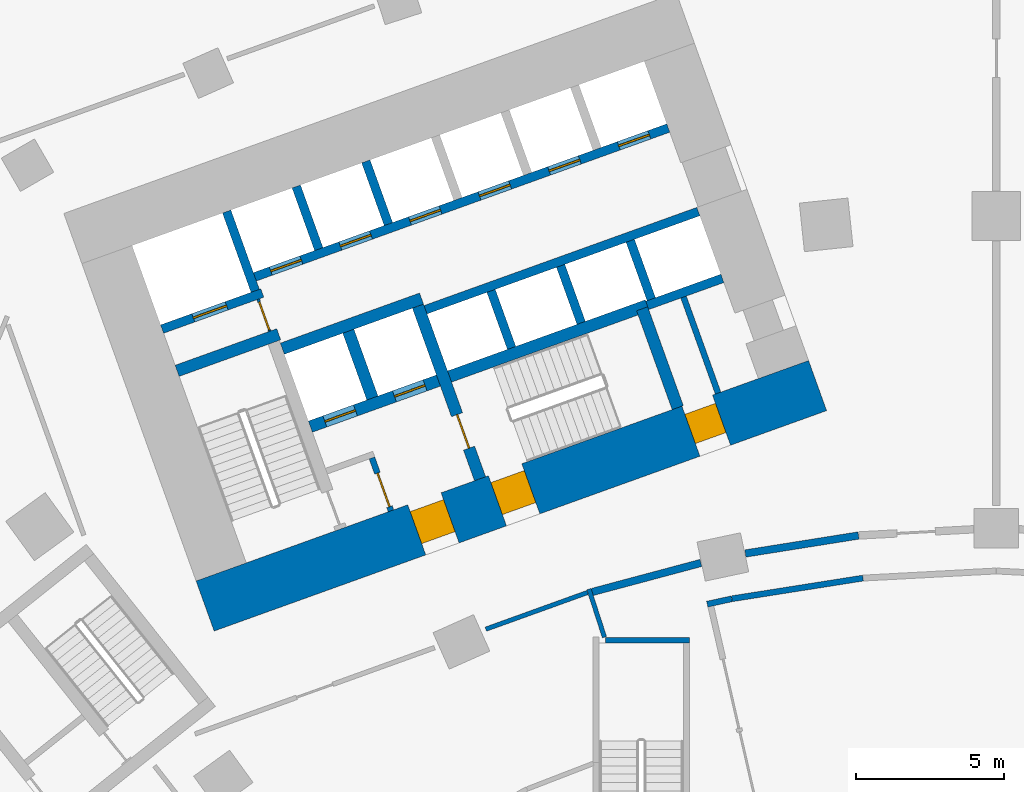
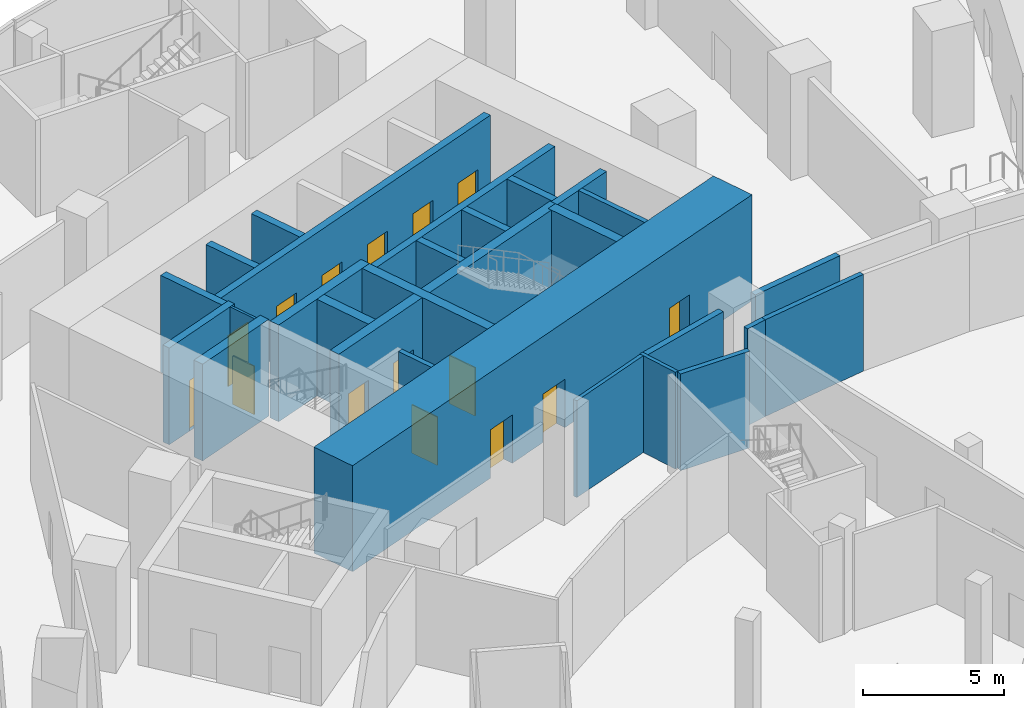
# One storey, part 23 of 40: 27 walls, 15 doors, 15 openings.
"""IFC4 building model written with IfcOpenShell, lengths in metres."""

from ifc_helpers import new_model, si_unit, direction, frame, frame_2d, origin, place, context, subcontext, project, spatial, rectangle, extrude, material, layer, layer_set, type_object, element, fill, save


model = new_model("IFC4")

# Units and contexts
model_context = context("Model", 3, precision=1e-05, world=origin(), true_north=direction((0.0, 1.0)))
body_context = subcontext(model_context, "Body", "Model", "MODEL_VIEW")
ifc_project = project(units=[si_unit("LENGTHUNIT", "METRE"), si_unit("AREAUNIT", "SQUARE_METRE"), si_unit("VOLUMEUNIT", "CUBIC_METRE"), si_unit("PLANEANGLEUNIT", "RADIAN"), si_unit("MASSUNIT", "GRAM", prefix="KILO")], contexts=[model_context])

# Site, building, storey
site_placement = place(None, origin())
site = spatial("IfcSite", under=ifc_project, at=site_placement, CompositionType="ELEMENT")
building_placement = place(site_placement, origin())
building = spatial("IfcBuilding", under=site, at=building_placement, Name="Stone Belt Terrace Tower", CompositionType="ELEMENT")
storey_placement = place(building_placement, frame((0.0, 0.0, 11.60009765625)))
storey = spatial("IfcBuildingStorey", under=building, at=storey_placement, Name="L02", CompositionType="ELEMENT", Elevation=11.60009765625)

# Wall, opening, door
ifc_material_1 = material(Name="Plasterboard partition")
ifc_layer_1 = layer(ifc_material_1, 0.10009765625)
ifc_layer_set_1 = layer_set([ifc_layer_1], Name="Core partition 100")
wall_type_1 = type_object("IfcWallType", Name="Core partition 100", PredefinedType="PARTITIONING", material=ifc_layer_set_1)
wall_1_placement = place(storey_placement, frame((-24.555908203125, 51.10400390625, 0.0), z_axis=(0.0, 0.0, 1.0), x_axis=(-0.338621735342, 0.94092258999, 0.0)))
wall_1 = element("IfcWall", 1, at=wall_1_placement, inside=storey, type_object=wall_type_1, Name="Core A wall", PredefinedType="PARTITIONING", context=body_context, shape_type="SweptSolid", body=[
    extrude(rectangle(XDim=1.14990234375, YDim=0.10009765625, at=frame_2d((0.574951171875, 0.0))), origin(), (0.0, 0.0, 1.0), 4.199951171875),
])
opening_1_placement = place(wall_1_placement, frame((0.050048828125, 0.0, 0.0)))
opening_1 = element("IfcOpeningElement", 2, at=opening_1_placement, cuts=wall_1, Name="Opening L02-C01", PredefinedType="OPENING", context=body_context, shape_type="SweptSolid", body=[
    extrude(rectangle(XDim=1.0, YDim=2.10009765625, at=frame_2d((0.5, 1.050048828125))), frame((0.0, 0.06005859375, 0.0), z_axis=(0.0, -1.0, 0.0), x_axis=(1.0, 0.0, 0.0)), (0.0, 0.0, 1.0), 0.1201171875),
])
ifc_material_2 = material(Name="Timber door leaf", Category="wood")
door_type_1 = type_object("IfcDoorType", Name="Core room door 1000", OperationType="SINGLE_SWING_LEFT", PredefinedType="DOOR", material=ifc_material_2)
door_1_placement = place(opening_1_placement, origin())
door_1 = element("IfcDoor", 3, at=door_1_placement, inside=storey, type_object=door_type_1, Name="Service lift lobby door core A", OperationType="SINGLE_SWING_LEFT", OverallHeight=2.10009765625, OverallWidth=1.0, PredefinedType="DOOR", context=body_context, shape_type="SweptSolid", body=[
    extrude(rectangle(XDim=1.0, YDim=2.10009765625, at=frame_2d((0.5, 1.050048828125))), frame((0.0, 0.02490234375, 0.0), z_axis=(0.0, -1.0, 0.0), x_axis=(1.0, 0.0, 0.0)), (0.0, 0.0, 1.0), 0.050048828125),
])
fill(opening_1, door_1)

# Wall, openings, doors
ifc_material_3 = material(Name="Concrete B80", Category="concrete")
ifc_layer_2 = layer(ifc_material_3, 1.800048828125)
ifc_layer_set_2 = layer_set([ifc_layer_2], Name="Core wall 1800 B80")
wall_type_2 = type_object("IfcWallType", Name="Core wall 1800 B80", PredefinedType="SHEAR", material=ifc_layer_set_2)
wall_2_placement = place(storey_placement, frame((-26.739501953125, 41.815673828125, 0.0), z_axis=(0.0, 0.0, 1.0), x_axis=(0.940921642213, 0.338624368902, 0.0)))
wall_2 = element("IfcWall", 4, at=wall_2_placement, inside=storey, type_object=wall_type_2, Name="Core A wall concave L02", PredefinedType="SHEAR", context=body_context, shape_type="SweptSolid", body=[
    extrude(rectangle(XDim=22.0, YDim=1.800048828125, at=frame_2d((11.0, 0.0))), origin(), (0.0, 0.0, 1.0), 4.599853515625),
])
opening_2_placement = place(wall_2_placement, frame((7.60009765625, 0.0, 0.0)))
opening_2 = element("IfcOpeningElement", 5, at=opening_2_placement, cuts=wall_2, Name="Opening L02-C05", PredefinedType="OPENING", context=body_context, shape_type="SweptSolid", body=[
    extrude(rectangle(XDim=1.199951171875, YDim=2.10009765625, at=frame_2d((0.60009765625, 1.050048828125))), frame((0.0, 0.909912109375, 0.0), z_axis=(0.0, -1.0, 0.0), x_axis=(1.0, 0.0, 0.0)), (0.0, 0.0, 1.0), 1.820068359375),
])
opening_3_placement = place(wall_2_placement, frame((10.5, 0.0, 0.0)))
opening_3 = element("IfcOpeningElement", 6, at=opening_3_placement, cuts=wall_2, Name="Opening L02-C07", PredefinedType="OPENING", context=body_context, shape_type="SweptSolid", body=[
    extrude(rectangle(XDim=1.199951171875, YDim=2.10009765625, at=frame_2d((0.60009765625, 1.050048828125))), frame((0.0, 0.909912109375, 0.0), z_axis=(0.0, -1.0, 0.0), x_axis=(1.0, 0.0, 0.0)), (0.0, 0.0, 1.0), 1.820068359375),
])
opening_4_placement = place(wall_2_placement, frame((17.449951171875, 0.0, 0.0)))
opening_4 = element("IfcOpeningElement", 7, at=opening_4_placement, cuts=wall_2, Name="Opening L02-C09", PredefinedType="OPENING", context=body_context, shape_type="SweptSolid", body=[
    extrude(rectangle(XDim=1.10009765625, YDim=2.10009765625, at=frame_2d((0.550048828125, 1.050048828125))), frame((0.0, 0.909912109375, 0.0), z_axis=(0.0, -1.0, 0.0), x_axis=(1.0, 0.0, 0.0)), (0.0, 0.0, 1.0), 1.820068359375),
])
door_type_2 = type_object("IfcDoorType", Name="Core room door 1100", OperationType="SINGLE_SWING_LEFT", PredefinedType="DOOR", material=ifc_material_2)
door_2_placement = place(opening_4_placement, origin())
door_2 = element("IfcDoor", 8, at=door_2_placement, inside=storey, type_object=door_type_2, Name="Door to Communications riser room core A", OperationType="SINGLE_SWING_LEFT", OverallHeight=2.10009765625, OverallWidth=1.10009765625, PredefinedType="DOOR", context=body_context, shape_type="SweptSolid", body=[
    extrude(rectangle(XDim=1.10009765625, YDim=2.10009765625, at=frame_2d((0.550048828125, 1.050048828125))), frame((0.0, 0.60498046875, 0.0), z_axis=(0.0, -1.0, 0.0), x_axis=(1.0, 0.0, 0.0)), (0.0, 0.0, 1.0), 1.050048828125),
])
fill(opening_4, door_2)
ifc_material_4 = material(Name="Steel door leaf", Category="steel")
door_type_3 = type_object("IfcDoorType", Name="Fire-fighting lobby door 1200", OperationType="SINGLE_SWING_LEFT", PredefinedType="DOOR", material=ifc_material_4)
door_3_placement = place(opening_2_placement, origin())
door_3 = element("IfcDoor", 9, at=door_3_placement, inside=storey, type_object=door_type_3, Name="Fire-fighting lobby door core A", OperationType="SINGLE_SWING_LEFT", OverallHeight=2.10009765625, OverallWidth=1.199951171875, PredefinedType="DOOR", context=body_context, shape_type="SweptSolid", body=[
    extrude(rectangle(XDim=1.199951171875, YDim=2.10009765625, at=frame_2d((0.60009765625, 1.050048828125))), frame((0.0, 0.655029296875, 0.0), z_axis=(0.0, -1.0, 0.0), x_axis=(1.0, 0.0, 0.0)), (0.0, 0.0, 1.0), 1.14990234375),
])
fill(opening_2, door_3)
door_type_4 = type_object("IfcDoorType", Name="Stair door 1200", OperationType="SINGLE_SWING_LEFT", PredefinedType="DOOR", material=ifc_material_4)
door_4_placement = place(opening_3_placement, origin())
door_4 = element("IfcDoor", 10, at=door_4_placement, inside=storey, type_object=door_type_4, Name="Stair 2 exit door core A", OperationType="SINGLE_SWING_RIGHT", OverallHeight=2.10009765625, OverallWidth=1.199951171875, PredefinedType="DOOR", context=body_context, shape_type="SweptSolid", body=[
    extrude(rectangle(XDim=1.199951171875, YDim=2.10009765625, at=frame_2d((0.60009765625, 1.050048828125))), frame((0.0, 0.655029296875, 0.0), z_axis=(0.0, -1.0, 0.0), x_axis=(1.0, 0.0, 0.0)), (0.0, 0.0, 1.0), 1.14990234375),
])
fill(opening_3, door_4)

# Walls
ifc_layer_3 = layer(ifc_material_3, 0.39990234375)
ifc_layer_set_3 = layer_set([ifc_layer_3], Name="Fire-fighting lift shaft wall 400")
wall_type_3 = type_object("IfcWallType", Name="Fire-fighting lift shaft wall 400", PredefinedType="SHEAR", material=ifc_layer_set_3)
wall_3_placement = place(storey_placement, frame((-24.130615234375, 50.512939453125, 0.0), z_axis=(0.0, 0.0, 1.0), x_axis=(0.94091168377, 0.338652038744, 0.0)))
element("IfcWall", 11, at=wall_3_placement, inside=storey, type_object=wall_type_3, Name="Core A wall", PredefinedType="SHEAR", context=body_context, shape_type="SweptSolid", body=[
    extrude(rectangle(XDim=5.000244140625, YDim=0.39990234375, at=frame_2d((2.5, 0.0))), origin(), (0.0, 0.0, 1.0), 4.199951171875),
])
wall_4_placement = place(storey_placement, frame((-21.0859375, 48.845458984375, 0.0), z_axis=(0.0, 0.0, 1.0), x_axis=(-0.338629416206, 0.940919825745, 0.0)))
element("IfcWall", 12, at=wall_4_placement, inside=storey, type_object=wall_type_3, Name="Core A wall", PredefinedType="SHEAR", context=body_context, shape_type="SweptSolid", body=[
    extrude(rectangle(XDim=2.400146484375, YDim=0.39990234375, at=frame_2d((1.2001953125, 0.0))), origin(), (0.0, 0.0, 1.0), 4.199951171875),
])
ifc_material_5 = material(Name="Fire-resistant glazing in steel frame", Category="steel")
ifc_layer_4 = layer(ifc_material_5, 0.25)
ifc_layer_set_4 = layer_set([ifc_layer_4], Name="Glazed compartment fire screen 250")
wall_type_4 = type_object("IfcWallType", Name="Glazed compartment fire screen 250", PredefinedType="PARTITIONING", material=ifc_layer_set_4)
wall_5_placement = place(storey_placement, frame((-13.657470703125, 42.289306640625, 0.0), z_axis=(0.0, 0.0, 1.0), x_axis=(0.966092014145, 0.258198025177, 0.0)))
element("IfcWall", 13, at=wall_5_placement, inside=storey, type_object=wall_type_4, Name="Compartment fire screen L02 3", PredefinedType="PARTITIONING", context=body_context, shape_type="SweptSolid", body=[
    extrude(rectangle(XDim=3.802978515625, YDim=0.25, at=frame_2d((1.9013671875, 0.0))), origin(), (0.0, 0.0, 1.0), 4.199951171875),
])
wall_6_placement = place(storey_placement, frame((-8.4794921875, 43.5908203125, 0.0), z_axis=(0.0, 0.0, 1.0), x_axis=(0.98758230791, 0.157102466888, 0.0)))
element("IfcWall", 14, at=wall_6_placement, inside=storey, type_object=wall_type_4, Name="Compartment fire screen L02 4", PredefinedType="PARTITIONING", context=body_context, shape_type="SweptSolid", body=[
    extrude(rectangle(XDim=3.87109375, YDim=0.25, at=frame_2d((1.935546875, 0.0))), origin(), (0.0, 0.0, 1.0), 4.199951171875),
])

# Wall, opening, door
ifc_layer_5 = layer(ifc_material_3, 0.300048828125)
ifc_layer_set_5 = layer_set([ifc_layer_5], Name="Lift shaft wall 300")
wall_type_5 = type_object("IfcWallType", Name="Lift shaft wall 300", PredefinedType="SHEAR", material=ifc_layer_set_5)
wall_7_placement = place(storey_placement, frame((-28.195068359375, 51.17578125, 0.0), z_axis=(0.0, 0.0, 1.0), x_axis=(0.940901243567, 0.338681044427, 0.0)))
wall_7 = element("IfcWall", 15, at=wall_7_placement, inside=storey, type_object=wall_type_5, Name="Core A wall", PredefinedType="SHEAR", context=body_context, shape_type="SweptSolid", body=[
    extrude(rectangle(XDim=3.599853515625, YDim=0.300048828125, at=frame_2d((1.7998046875, 0.0))), origin(), (0.0, 0.0, 1.0), 4.199951171875),
])
opening_5_placement = place(wall_7_placement, frame((1.1201171875, 0.0, 0.0)))
opening_5 = element("IfcOpeningElement", 16, at=opening_5_placement, cuts=wall_7, Name="Opening L02-LD09", PredefinedType="OPENING", context=body_context, shape_type="SweptSolid", body=[
    extrude(rectangle(XDim=1.199951171875, YDim=2.199951171875, at=frame_2d((0.60009765625, 1.10009765625))), frame((0.0, 0.159912109375, 0.0), z_axis=(0.0, -1.0, 0.0), x_axis=(1.0, 0.0, 0.0)), (0.0, 0.0, 1.0), 0.320068359375),
])
ifc_material_6 = material(Name="Stainless steel door leaf", Category="steel")
door_type_5 = type_object("IfcDoorType", Name="Landing door 1200", OperationType="SLIDING_TO_LEFT", PredefinedType="DOOR", material=ifc_material_6)
door_5_placement = place(opening_5_placement, origin())
door_5 = element("IfcDoor", 17, at=door_5_placement, inside=storey, type_object=door_type_5, Name="Landing door SV1 core A", OperationType="SLIDING_TO_LEFT", OverallHeight=2.199951171875, OverallWidth=1.199951171875, PredefinedType="DOOR", context=body_context, shape_type="SweptSolid", body=[
    extrude(rectangle(XDim=1.199951171875, YDim=2.199951171875, at=frame_2d((0.60009765625, 1.10009765625))), frame((0.0, 0.02490234375, 0.0), z_axis=(0.0, -1.0, 0.0), x_axis=(1.0, 0.0, 0.0)), (0.0, 0.0, 1.0), 0.050048828125),
])
fill(opening_5, door_5)

# Wall
wall_8_placement = place(storey_placement, frame((-25.046875, 52.46826171875, 0.0), z_axis=(0.0, 0.0, 1.0), x_axis=(-0.338549588058, 0.940948551423, 0.0)))
element("IfcWall", 18, at=wall_8_placement, inside=storey, type_object=wall_type_5, Name="Core A wall", PredefinedType="SHEAR", context=body_context, shape_type="SweptSolid", body=[
    extrude(rectangle(XDim=2.849853515625, YDim=0.300048828125, at=frame_2d((1.4248046875, 0.0))), origin(), (0.0, 0.0, 1.0), 4.199951171875),
])

# Wall, openings, doors
wall_9_placement = place(storey_placement, frame((-25.05810546875, 52.9423828125, 0.0), z_axis=(0.0, 0.0, 1.0), x_axis=(0.940918215764, 0.338633889685, 0.0)))
wall_9 = element("IfcWall", 19, at=wall_9_placement, inside=storey, type_object=wall_type_5, Name="Core A wall", PredefinedType="SHEAR", context=body_context, shape_type="SweptSolid", body=[
    extrude(rectangle(XDim=14.850341796875, YDim=0.300048828125, at=frame_2d((7.42529296875, 0.0))), origin(), (0.0, 0.0, 1.0), 4.199951171875),
])
opening_6_placement = place(wall_9_placement, frame((0.570068359375, 0.0, 0.0)))
opening_6 = element("IfcOpeningElement", 20, at=opening_6_placement, cuts=wall_9, Name="Opening L02-LD01", PredefinedType="OPENING", context=body_context, shape_type="SweptSolid", body=[
    extrude(rectangle(XDim=1.10009765625, YDim=2.199951171875, at=frame_2d((0.550048828125, 1.10009765625))), frame((0.0, 0.159912109375, 0.0), z_axis=(0.0, -1.0, 0.0), x_axis=(1.0, 0.0, 0.0)), (0.0, 0.0, 1.0), 0.320068359375),
])
opening_7_placement = place(wall_9_placement, frame((3.070068359375, 0.0, 0.0)))
opening_7 = element("IfcOpeningElement", 21, at=opening_7_placement, cuts=wall_9, Name="Opening L02-LD02", PredefinedType="OPENING", context=body_context, shape_type="SweptSolid", body=[
    extrude(rectangle(XDim=1.10009765625, YDim=2.199951171875, at=frame_2d((0.550048828125, 1.10009765625))), frame((0.0, 0.159912109375, 0.0), z_axis=(0.0, -1.0, 0.0), x_axis=(1.0, 0.0, 0.0)), (0.0, 0.0, 1.0), 0.320068359375),
])
opening_8_placement = place(wall_9_placement, frame((5.570068359375, 0.0, 0.0)))
opening_8 = element("IfcOpeningElement", 22, at=opening_8_placement, cuts=wall_9, Name="Opening L02-LD03", PredefinedType="OPENING", context=body_context, shape_type="SweptSolid", body=[
    extrude(rectangle(XDim=1.10009765625, YDim=2.199951171875, at=frame_2d((0.550048828125, 1.10009765625))), frame((0.0, 0.159912109375, 0.0), z_axis=(0.0, -1.0, 0.0), x_axis=(1.0, 0.0, 0.0)), (0.0, 0.0, 1.0), 0.320068359375),
])
opening_9_placement = place(wall_9_placement, frame((8.070068359375, 0.0, 0.0)))
opening_9 = element("IfcOpeningElement", 23, at=opening_9_placement, cuts=wall_9, Name="Opening L02-LD04", PredefinedType="OPENING", context=body_context, shape_type="SweptSolid", body=[
    extrude(rectangle(XDim=1.10009765625, YDim=2.199951171875, at=frame_2d((0.550048828125, 1.10009765625))), frame((0.0, 0.159912109375, 0.0), z_axis=(0.0, -1.0, 0.0), x_axis=(1.0, 0.0, 0.0)), (0.0, 0.0, 1.0), 0.320068359375),
])
opening_10_placement = place(wall_9_placement, frame((10.570068359375, 0.0, 0.0)))
opening_10 = element("IfcOpeningElement", 24, at=opening_10_placement, cuts=wall_9, Name="Opening L02-LD05", PredefinedType="OPENING", context=body_context, shape_type="SweptSolid", body=[
    extrude(rectangle(XDim=1.10009765625, YDim=2.199951171875, at=frame_2d((0.550048828125, 1.10009765625))), frame((0.0, 0.159912109375, 0.0), z_axis=(0.0, -1.0, 0.0), x_axis=(1.0, 0.0, 0.0)), (0.0, 0.0, 1.0), 0.320068359375),
])
opening_11_placement = place(wall_9_placement, frame((13.070068359375, 0.0, 0.0)))
opening_11 = element("IfcOpeningElement", 25, at=opening_11_placement, cuts=wall_9, Name="Opening L02-LD06", PredefinedType="OPENING", context=body_context, shape_type="SweptSolid", body=[
    extrude(rectangle(XDim=1.10009765625, YDim=2.199951171875, at=frame_2d((0.550048828125, 1.10009765625))), frame((0.0, 0.159912109375, 0.0), z_axis=(0.0, -1.0, 0.0), x_axis=(1.0, 0.0, 0.0)), (0.0, 0.0, 1.0), 0.320068359375),
])
door_type_6 = type_object("IfcDoorType", Name="Landing door 1100", OperationType="SLIDING_TO_LEFT", PredefinedType="DOOR", material=ifc_material_6)
door_6_placement = place(opening_6_placement, origin())
door_6 = element("IfcDoor", 26, at=door_6_placement, inside=storey, type_object=door_type_6, Name="Landing door LR1 core A", OperationType="SLIDING_TO_LEFT", OverallHeight=2.199951171875, OverallWidth=1.10009765625, PredefinedType="DOOR", context=body_context, shape_type="SweptSolid", body=[
    extrude(rectangle(XDim=1.10009765625, YDim=2.199951171875, at=frame_2d((0.550048828125, 1.10009765625))), frame((0.0, 0.02490234375, 0.0), z_axis=(0.0, -1.0, 0.0), x_axis=(1.0, 0.0, 0.0)), (0.0, 0.0, 1.0), 0.050048828125),
])
fill(opening_6, door_6)
door_7_placement = place(opening_7_placement, origin())
door_7 = element("IfcDoor", 27, at=door_7_placement, inside=storey, type_object=door_type_6, Name="Landing door LR2 core A", OperationType="SLIDING_TO_LEFT", OverallHeight=2.199951171875, OverallWidth=1.10009765625, PredefinedType="DOOR", context=body_context, shape_type="SweptSolid", body=[
    extrude(rectangle(XDim=1.10009765625, YDim=2.199951171875, at=frame_2d((0.550048828125, 1.10009765625))), frame((0.0, 0.02490234375, 0.0), z_axis=(0.0, -1.0, 0.0), x_axis=(1.0, 0.0, 0.0)), (0.0, 0.0, 1.0), 0.050048828125),
])
fill(opening_7, door_7)
door_8_placement = place(opening_8_placement, origin())
door_8 = element("IfcDoor", 28, at=door_8_placement, inside=storey, type_object=door_type_6, Name="Landing door LR3 core A", OperationType="SLIDING_TO_LEFT", OverallHeight=2.199951171875, OverallWidth=1.10009765625, PredefinedType="DOOR", context=body_context, shape_type="SweptSolid", body=[
    extrude(rectangle(XDim=1.10009765625, YDim=2.199951171875, at=frame_2d((0.550048828125, 1.10009765625))), frame((0.0, 0.02490234375, 0.0), z_axis=(0.0, -1.0, 0.0), x_axis=(1.0, 0.0, 0.0)), (0.0, 0.0, 1.0), 0.050048828125),
])
fill(opening_8, door_8)
door_9_placement = place(opening_9_placement, origin())
door_9 = element("IfcDoor", 29, at=door_9_placement, inside=storey, type_object=door_type_6, Name="Landing door LR4 core A", OperationType="SLIDING_TO_LEFT", OverallHeight=2.199951171875, OverallWidth=1.10009765625, PredefinedType="DOOR", context=body_context, shape_type="SweptSolid", body=[
    extrude(rectangle(XDim=1.10009765625, YDim=2.199951171875, at=frame_2d((0.550048828125, 1.10009765625))), frame((0.0, 0.02490234375, 0.0), z_axis=(0.0, -1.0, 0.0), x_axis=(1.0, 0.0, 0.0)), (0.0, 0.0, 1.0), 0.050048828125),
])
fill(opening_9, door_9)
door_10_placement = place(opening_10_placement, origin())
door_10 = element("IfcDoor", 30, at=door_10_placement, inside=storey, type_object=door_type_6, Name="Landing door LR5 core A", OperationType="SLIDING_TO_LEFT", OverallHeight=2.199951171875, OverallWidth=1.10009765625, PredefinedType="DOOR", context=body_context, shape_type="SweptSolid", body=[
    extrude(rectangle(XDim=1.10009765625, YDim=2.199951171875, at=frame_2d((0.550048828125, 1.10009765625))), frame((0.0, 0.02490234375, 0.0), z_axis=(0.0, -1.0, 0.0), x_axis=(1.0, 0.0, 0.0)), (0.0, 0.0, 1.0), 0.050048828125),
])
fill(opening_10, door_10)
door_11_placement = place(opening_11_placement, origin())
door_11 = element("IfcDoor", 31, at=door_11_placement, inside=storey, type_object=door_type_6, Name="Landing door LR6 core A", OperationType="SLIDING_TO_LEFT", OverallHeight=2.199951171875, OverallWidth=1.10009765625, PredefinedType="DOOR", context=body_context, shape_type="SweptSolid", body=[
    extrude(rectangle(XDim=1.10009765625, YDim=2.199951171875, at=frame_2d((0.550048828125, 1.10009765625))), frame((0.0, 0.02490234375, 0.0), z_axis=(0.0, -1.0, 0.0), x_axis=(1.0, 0.0, 0.0)), (0.0, 0.0, 1.0), 0.050048828125),
])
fill(opening_11, door_11)

# Walls
wall_10_placement = place(storey_placement, frame((-22.897705078125, 53.87939453125, 0.0), z_axis=(0.0, 0.0, 1.0), x_axis=(-0.338535034312, 0.940953787677, 0.0)))
element("IfcWall", 32, at=wall_10_placement, inside=storey, type_object=wall_type_5, Name="Core A wall", PredefinedType="SHEAR", context=body_context, shape_type="SweptSolid", body=[
    extrude(rectangle(XDim=2.25, YDim=0.300048828125, at=frame_2d((1.125, 0.0))), origin(), (0.0, 0.0, 1.0), 4.199951171875),
])
wall_11_placement = place(storey_placement, frame((-19.29052734375, 51.829833984375, 0.0), z_axis=(0.0, 0.0, 1.0), x_axis=(0.940925833398, 0.338612722803, 0.0)))
element("IfcWall", 33, at=wall_11_placement, inside=storey, type_object=wall_type_5, Name="Core A wall", PredefinedType="SHEAR", context=body_context, shape_type="SweptSolid", body=[
    extrude(rectangle(XDim=9.7998046875, YDim=0.300048828125, at=frame_2d((4.89990234375, 0.0))), origin(), (0.0, 0.0, 1.0), 4.199951171875),
])
wall_12_placement = place(storey_placement, frame((-20.54541015625, 54.72607421875, 0.0), z_axis=(0.0, 0.0, 1.0), x_axis=(-0.338569601369, 0.940941350472, 0.0)))
element("IfcWall", 34, at=wall_12_placement, inside=storey, type_object=wall_type_5, Name="Core A wall", PredefinedType="SHEAR", context=body_context, shape_type="SweptSolid", body=[
    extrude(rectangle(XDim=2.249755859375, YDim=0.300048828125, at=frame_2d((1.125, 0.0))), origin(), (0.0, 0.0, 1.0), 4.199951171875),
])
for number, where, z_axis, x_axis, name in (
    (35, (-16.38134765625, 50.53857421875, 0.0), (0.0, 0.0, 1.0), (-0.338681515556, 0.940901073982, 0.0), "Core A wall"),
    (36, (-14.029052734375, 51.38525390625, 0.0), (0.0, 0.0, 1.0), (-0.338681515556, 0.940901073982, 0.0), "Core A wall"),
):
    element("IfcWall", number, at=place(storey_placement, frame(where, z_axis=z_axis, x_axis=x_axis)), inside=storey, type_object=wall_type_5, Name=name, PredefinedType="SHEAR", context=body_context, shape_type="SweptSolid", body=[
        extrude(rectangle(XDim=2.050048828125, YDim=0.300048828125, at=frame_2d((1.02490234375, 0.0))), origin(), (0.0, 0.0, 1.0), 4.199951171875),
    ])
wall_13_placement = place(storey_placement, frame((-11.797119140625, 51.975830078125, 0.0), z_axis=(0.0, 0.0, 1.0), x_axis=(0.940910465161, 0.33865542451, 0.0)))
element("IfcWall", 37, at=wall_13_placement, inside=storey, type_object=wall_type_5, Name="Core A wall", PredefinedType="SHEAR", context=body_context, shape_type="SweptSolid", body=[
    extrude(rectangle(XDim=2.69970703125, YDim=0.300048828125, at=frame_2d((1.349853515625, 0.0))), origin(), (0.0, 0.0, 1.0), 4.199951171875),
])
wall_14_placement = place(storey_placement, frame((-11.659912109375, 52.184814453125, 0.0), z_axis=(0.0, 0.0, 1.0), x_axis=(-0.338670064856, 0.940905195634, 0.0)))
element("IfcWall", 38, at=wall_14_placement, inside=storey, type_object=wall_type_5, Name="Core A wall", PredefinedType="SHEAR", context=body_context, shape_type="SweptSolid", body=[
    extrude(rectangle(XDim=2.099853515625, YDim=0.300048828125, at=frame_2d((1.0498046875, 0.0))), origin(), (0.0, 0.0, 1.0), 4.199951171875),
])
ifc_material_7 = material(Name="Blockwork wall, plastered both faces", Category="masonry")
ifc_layer_6 = layer(ifc_material_7, 0.199951171875)
ifc_layer_set_6 = layer_set([ifc_layer_6], Name="Podium demising wall 200")
wall_type_6 = type_object("IfcWallType", Name="Podium demising wall 200", PredefinedType="PARTITIONING", material=ifc_layer_set_6)
wall_15_placement = place(storey_placement, frame((-9.767578125, 41.878662109375, 0.0), z_axis=(0.0, 0.0, 1.0), x_axis=(0.976835831882, 0.213990087505, 0.0)))
element("IfcWall", 39, at=wall_15_placement, inside=storey, type_object=wall_type_6, Name="Podium demising wall 200", PredefinedType="PARTITIONING", context=body_context, shape_type="SweptSolid", body=[
    extrude(rectangle(XDim=0.84423828125, YDim=0.199951171875, at=frame_2d((0.422119140625, 0.0))), origin(), (0.0, 0.0, 1.0), 4.199951171875),
])
wall_16_placement = place(storey_placement, frame((-8.93701171875, 42.060546875, 0.0), z_axis=(0.0, 0.0, 1.0), x_axis=(0.987798676931, 0.155736231663, 0.0)))
element("IfcWall", 40, at=wall_16_placement, inside=storey, type_object=wall_type_6, Name="Podium demising wall 200", PredefinedType="PARTITIONING", context=body_context, shape_type="SweptSolid", body=[
    extrude(rectangle(XDim=4.486572265625, YDim=0.199951171875, at=frame_2d((2.2431640625, 0.0))), origin(), (0.0, 0.0, 1.0), 4.199951171875),
])
ifc_material_8 = material(Name="Gypsum board on steel stud partition", Category="steel")
ifc_layer_7 = layer(ifc_material_8, 0.14990234375)
ifc_layer_set_7 = layer_set([ifc_layer_7], Name="Podium partition 150")
wall_type_7 = type_object("IfcWallType", Name="Podium partition 150", PredefinedType="PARTITIONING", material=ifc_layer_set_7)
wall_17_placement = place(storey_placement, frame((-17.253173828125, 41.033203125, 0.0), z_axis=(0.0, 0.0, 1.0), x_axis=(0.940717911105, 0.339189934588, 0.0)))
element("IfcWall", 41, at=wall_17_placement, inside=storey, type_object=wall_type_7, Name="Podium partition 150", PredefinedType="PARTITIONING", context=body_context, shape_type="SweptSolid", body=[
    extrude(rectangle(XDim=3.656494140625, YDim=0.14990234375, at=frame_2d((1.828125, 0.0))), origin(), (0.0, 0.0, 1.0), 4.199951171875),
])
wall_18_placement = place(storey_placement, frame((-13.7685546875, 42.38916015625, 0.0), z_axis=(0.0, 0.0, 1.0), x_axis=(0.307444388482, -0.951566050251, 0.0)))
element("IfcWall", 42, at=wall_18_placement, inside=storey, type_object=wall_type_7, Name="Podium partition 150", PredefinedType="PARTITIONING", context=body_context, shape_type="SweptSolid", body=[
    extrude(rectangle(XDim=1.712158203125, YDim=0.14990234375, at=frame_2d((0.85595703125, 0.0))), origin(), (0.0, 0.0, 1.0), 4.199951171875),
])
ifc_material_9 = material(Name="Concrete B30", Category="concrete")
ifc_layer_8 = layer(ifc_material_9, 0.199951171875)
ifc_layer_set_8 = layer_set([ifc_layer_8], Name="Podium stair and shaft wall 200")
wall_type_8 = type_object("IfcWallType", Name="Podium stair and shaft wall 200", PredefinedType="SOLIDWALL", material=ifc_layer_set_8)
wall_19_placement = place(storey_placement, frame((-13.2099609375, 40.659912109375, 0.0), z_axis=(0.0, 0.0, 1.0), x_axis=(1.0, 0.0, 0.0)))
element("IfcWall", 43, at=wall_19_placement, inside=storey, type_object=wall_type_8, Name="Podium stair and shaft wall 200", PredefinedType="SOLIDWALL", context=body_context, shape_type="SweptSolid", body=[
    extrude(rectangle(XDim=2.83984375, YDim=0.199951171875, at=frame_2d((1.419921875, 0.0))), origin(), (0.0, 0.0, 1.0), 4.199951171875),
])

# Wall, opening, door
ifc_material_10 = material(Name="Concrete masonry block", Category="masonry")
ifc_layer_9 = layer(ifc_material_10, 0.199951171875)
ifc_layer_set_9 = layer_set([ifc_layer_9], Name="Rated lobby wall 200")
wall_type_9 = type_object("IfcWallType", Name="Rated lobby wall 200", PredefinedType="PARTITIONING", material=ifc_layer_set_9)
wall_20_placement = place(storey_placement, frame((-20.4580078125, 45.032958984375, 0.0), z_axis=(0.0, 0.0, 1.0), x_axis=(-0.338573865316, 0.940939816208, 0.0)))
wall_20 = element("IfcWall", 44, at=wall_20_placement, inside=storey, type_object=wall_type_9, Name="Core A wall", PredefinedType="PARTITIONING", context=body_context, shape_type="SweptSolid", body=[
    extrude(rectangle(XDim=1.900146484375, YDim=0.199951171875, at=frame_2d((0.9501953125, 0.0))), origin(), (0.0, 0.0, 1.0), 4.199951171875),
])
opening_12_placement = place(wall_20_placement, frame((0.14990234375, 0.0, 0.0)))
opening_12 = element("IfcOpeningElement", 45, at=opening_12_placement, cuts=wall_20, Name="Opening L02-C04", PredefinedType="OPENING", context=body_context, shape_type="SweptSolid", body=[
    extrude(rectangle(XDim=1.199951171875, YDim=2.10009765625, at=frame_2d((0.60009765625, 1.050048828125))), frame((0.0, 0.10986328125, 0.0), z_axis=(0.0, -1.0, 0.0), x_axis=(1.0, 0.0, 0.0)), (0.0, 0.0, 1.0), 0.219970703125),
])
door_12_placement = place(opening_12_placement, origin())
door_12 = element("IfcDoor", 46, at=door_12_placement, inside=storey, type_object=door_type_4, Name="Stair airlock door core A", OperationType="SINGLE_SWING_LEFT", OverallHeight=2.10009765625, OverallWidth=1.199951171875, PredefinedType="DOOR", context=body_context, shape_type="SweptSolid", body=[
    extrude(rectangle(XDim=1.199951171875, YDim=2.10009765625, at=frame_2d((0.60009765625, 1.050048828125))), frame((0.0, 0.02490234375, 0.0), z_axis=(0.0, -1.0, 0.0), x_axis=(1.0, 0.0, 0.0)), (0.0, 0.0, 1.0), 0.050048828125),
])
fill(opening_12, door_12)

# Walls
wall_21_placement = place(storey_placement, frame((-9.402099609375, 49.01171875, 0.0), z_axis=(0.0, 0.0, 1.0), x_axis=(-0.338599189079, 0.940930703695, 0.0)))
element("IfcWall", 47, at=wall_21_placement, inside=storey, type_object=wall_type_9, Name="Core A wall", PredefinedType="PARTITIONING", context=body_context, shape_type="SweptSolid", body=[
    extrude(rectangle(XDim=3.4501953125, YDim=0.199951171875, at=frame_2d((1.72509765625, 0.0))), origin(), (0.0, 0.0, 1.0), 4.199951171875),
])
ifc_layer_10 = layer(ifc_material_3, 0.39990234375)
ifc_layer_set_10 = layer_set([ifc_layer_10], Name="Stair enclosure wall 400")
wall_type_10 = type_object("IfcWallType", Name="Stair enclosure wall 400", PredefinedType="SHEAR", material=ifc_layer_set_10)
wall_22_placement = place(storey_placement, frame((-27.687255859375, 49.764404296875, 0.0), z_axis=(0.0, 0.0, 1.0), x_axis=(0.940918954884, 0.338631835981, 0.0)))
element("IfcWall", 48, at=wall_22_placement, inside=storey, type_object=wall_type_10, Name="Core A wall", PredefinedType="SHEAR", context=body_context, shape_type="SweptSolid", body=[
    extrude(rectangle(XDim=3.650146484375, YDim=0.39990234375, at=frame_2d((1.8251953125, 0.0))), origin(), (0.0, 0.0, 1.0), 4.199951171875),
])

# Wall, openings, doors
wall_23_placement = place(storey_placement, frame((-23.182373046875, 47.87841796875, 0.0), z_axis=(0.0, 0.0, 1.0), x_axis=(0.940921101762, 0.338625870628, 0.0)))
wall_23 = element("IfcWall", 49, at=wall_23_placement, inside=storey, type_object=wall_type_10, Name="Core A wall", PredefinedType="SHEAR", context=body_context, shape_type="SweptSolid", body=[
    extrude(rectangle(XDim=12.10009765625, YDim=0.39990234375, at=frame_2d((6.050048828125, 0.0))), origin(), (0.0, 0.0, 1.0), 4.199951171875),
])
opening_13_placement = place(wall_23_placement, frame((0.52001953125, 0.0, 0.0)))
opening_13 = element("IfcOpeningElement", 50, at=opening_13_placement, cuts=wall_23, Name="Opening L02-LD07", PredefinedType="OPENING", context=body_context, shape_type="SweptSolid", body=[
    extrude(rectangle(XDim=1.10009765625, YDim=2.199951171875, at=frame_2d((0.550048828125, 1.10009765625))), frame((0.0, 0.2099609375, 0.0), z_axis=(0.0, -1.0, 0.0), x_axis=(1.0, 0.0, 0.0)), (0.0, 0.0, 1.0), 0.419921875),
])
opening_14_placement = place(wall_23_placement, frame((3.02001953125, 0.0, 0.0)))
opening_14 = element("IfcOpeningElement", 51, at=opening_14_placement, cuts=wall_23, Name="Opening L02-LD08", PredefinedType="OPENING", context=body_context, shape_type="SweptSolid", body=[
    extrude(rectangle(XDim=1.10009765625, YDim=2.199951171875, at=frame_2d((0.550048828125, 1.10009765625))), frame((0.0, 0.2099609375, 0.0), z_axis=(0.0, -1.0, 0.0), x_axis=(1.0, 0.0, 0.0)), (0.0, 0.0, 1.0), 0.419921875),
])
door_13_placement = place(opening_13_placement, origin())
door_13 = element("IfcDoor", 52, at=door_13_placement, inside=storey, type_object=door_type_6, Name="Landing door FF1 core A", OperationType="SLIDING_TO_LEFT", OverallHeight=2.199951171875, OverallWidth=1.10009765625, PredefinedType="DOOR", context=body_context, shape_type="SweptSolid", body=[
    extrude(rectangle(XDim=1.10009765625, YDim=2.199951171875, at=frame_2d((0.550048828125, 1.10009765625))), frame((0.0, 0.02490234375, 0.0), z_axis=(0.0, -1.0, 0.0), x_axis=(1.0, 0.0, 0.0)), (0.0, 0.0, 1.0), 0.050048828125),
])
fill(opening_13, door_13)
door_14_placement = place(opening_14_placement, origin())
door_14 = element("IfcDoor", 53, at=door_14_placement, inside=storey, type_object=door_type_6, Name="Landing door FF2 core A", OperationType="SLIDING_TO_LEFT", OverallHeight=2.199951171875, OverallWidth=1.10009765625, PredefinedType="DOOR", context=body_context, shape_type="SweptSolid", body=[
    extrude(rectangle(XDim=1.10009765625, YDim=2.199951171875, at=frame_2d((0.550048828125, 1.10009765625))), frame((0.0, 0.02490234375, 0.0), z_axis=(0.0, -1.0, 0.0), x_axis=(1.0, 0.0, 0.0)), (0.0, 0.0, 1.0), 0.050048828125),
])
fill(opening_14, door_14)

# Wall, opening, door
wall_24_placement = place(storey_placement, frame((-17.447021484375, 46.116455078125, 0.0), z_axis=(0.0, 0.0, 1.0), x_axis=(-0.33860791464, 0.940927563707, 0.0)))
wall_24 = element("IfcWall", 54, at=wall_24_placement, inside=storey, type_object=wall_type_10, Name="Core A wall", PredefinedType="SHEAR", context=body_context, shape_type="SweptSolid", body=[
    extrude(rectangle(XDim=6.199951171875, YDim=0.39990234375, at=frame_2d((3.10009765625, 0.0))), origin(), (0.0, 0.0, 1.0), 4.199951171875),
])
opening_15_placement = place(wall_24_placement, frame((1.10009765625, 0.0, 0.0)))
opening_15 = element("IfcOpeningElement", 55, at=opening_15_placement, cuts=wall_24, Name="Opening L02-C06", PredefinedType="OPENING", context=body_context, shape_type="SweptSolid", body=[
    extrude(rectangle(XDim=1.199951171875, YDim=2.10009765625, at=frame_2d((0.60009765625, 1.050048828125))), frame((0.0, 0.2099609375, 0.0), z_axis=(0.0, -1.0, 0.0), x_axis=(1.0, 0.0, 0.0)), (0.0, 0.0, 1.0), 0.419921875),
])
door_15_placement = place(opening_15_placement, origin())
door_15 = element("IfcDoor", 56, at=door_15_placement, inside=storey, type_object=door_type_4, Name="Stair 2 door core A", OperationType="SINGLE_SWING_LEFT", OverallHeight=2.10009765625, OverallWidth=1.199951171875, PredefinedType="DOOR", context=body_context, shape_type="SweptSolid", body=[
    extrude(rectangle(XDim=1.199951171875, YDim=2.10009765625, at=frame_2d((0.60009765625, 1.050048828125))), frame((0.0, 0.02490234375, 0.0), z_axis=(0.0, -1.0, 0.0), x_axis=(1.0, 0.0, 0.0)), (0.0, 0.0, 1.0), 0.050048828125),
])
fill(opening_15, door_15)

# Wall
wall_25_placement = place(storey_placement, frame((-10.766357421875, 48.520751953125, 0.0), z_axis=(0.0, 0.0, 1.0), x_axis=(-0.338626928157, 0.94092072117, 0.0)))
element("IfcWall", 57, at=wall_25_placement, inside=storey, type_object=wall_type_10, Name="Core A wall", PredefinedType="SHEAR", context=body_context, shape_type="SweptSolid", body=[
    extrude(rectangle(XDim=3.550048828125, YDim=0.39990234375, at=frame_2d((1.77490234375, 0.0))), origin(), (0.0, 0.0, 1.0), 4.199951171875),
])

save(model, "model.ifc")
